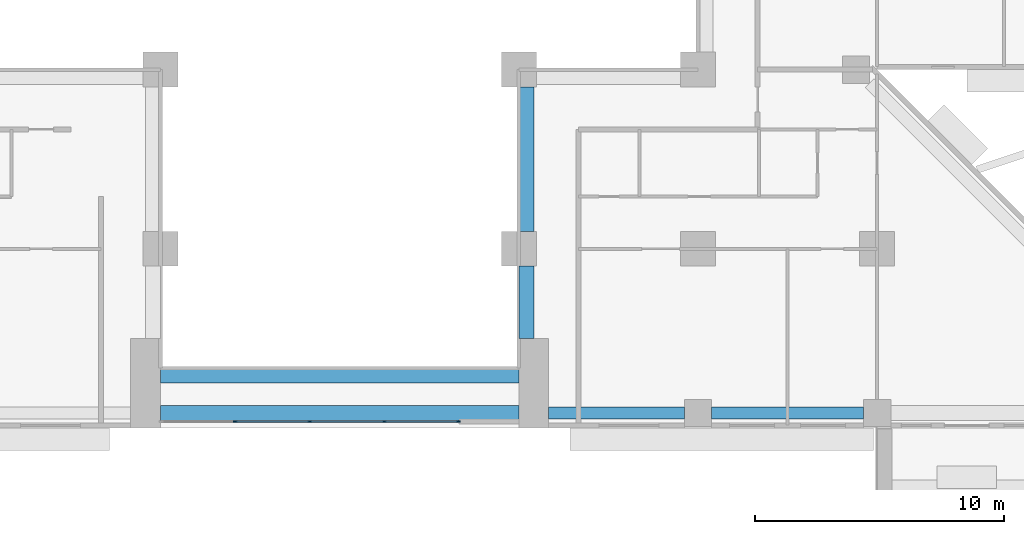
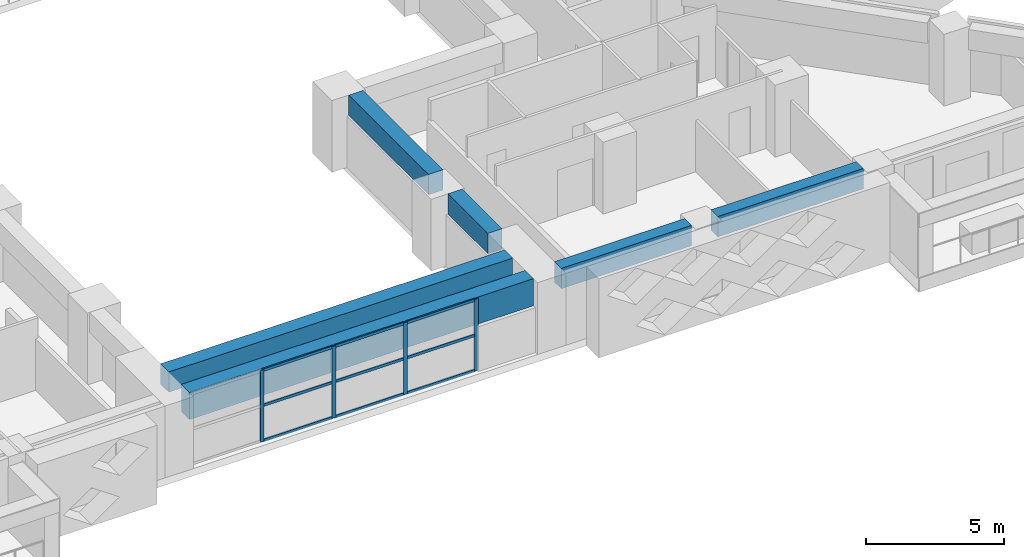
# One storey, part 4 of 17: 13 members, 6 beams, 1 element without a shape of its own.
"""IFC4 building model written with IfcOpenShell, lengths in metres."""

from ifc_helpers import new_model, si_unit, direction, frame, origin, origin_2d, place, context, subcontext, project, spatial, rectangle, extrude, source, transform, mapped, material, layer, layer_set, material_profile, profile_set, type_object, element, aggregate, save


model = new_model("IFC4")

# Units and contexts
model_context = context("Model", 3, precision=1e-05, world=origin(), true_north=direction((0.0, 1.0)))
body_context = subcontext(model_context, "Body", "Model", "MODEL_VIEW")
ifc_project = project(units=[si_unit("LENGTHUNIT", "METRE"), si_unit("AREAUNIT", "SQUARE_METRE"), si_unit("VOLUMEUNIT", "CUBIC_METRE"), si_unit("PLANEANGLEUNIT", "RADIAN"), si_unit("MASSUNIT", "GRAM", prefix="KILO")], contexts=[model_context])

# Site, building, storey
site_placement = place(None, origin())
site = spatial("IfcSite", under=ifc_project, at=site_placement, CompositionType="ELEMENT")
building_placement = place(site_placement, origin())
building = spatial("IfcBuilding", under=site, at=building_placement, Name="Saffron Iwan Residences", CompositionType="ELEMENT")
storey_placement = place(building_placement, frame((0.0, 0.0, 34.0)))
storey = spatial("IfcBuildingStorey", under=building, at=storey_placement, Name="L07", CompositionType="ELEMENT", Elevation=34.0)

# Beams
ifc_material_1 = material(Name="Concrete C60/75", Category="concrete")
ifc_material_profile_1 = material_profile(ifc_material_1, rectangle(XDim=0.5, YDim=0.89990234375, at=origin_2d()), Name="RC 500x900")
ifc_profile_set_1 = profile_set([ifc_material_profile_1], Name="Concrete C60/75")
beam_type_1 = type_object("IfcBeamType", Name="SPANDREL BEAM RC 500x900 C60/75 TOP 3180", PredefinedType="SPANDREL", material=ifc_profile_set_1)
shared_shape_1 = source(origin(), body_context, "Body", "SweptSolid", [
    extrude(rectangle(XDim=0.5, YDim=0.89990234375, at=origin_2d()), origin(), (0.0, 0.0, 1.0), 6.099853515625),
])
beam_1_placement = place(storey_placement, frame((71.449951171875, 34.199951171875, 2.72998046875), z_axis=(-1.0, 0.0, 0.0), x_axis=(0.0, -1.0, 0.0)))
element("IfcBeam", 1, at=beam_1_placement, inside=storey, type_object=beam_type_1, Name="Spandrel beam", PredefinedType="SPANDREL", context=body_context, shape_type="MappedRepresentation", body=[
    mapped(shared_shape_1, transform((0.0, 0.0, 0.0))),
])
shared_shape_2 = source(origin(), body_context, "Body", "SweptSolid", [
    extrude(rectangle(XDim=0.5, YDim=0.89990234375, at=origin_2d()), origin(), (0.0, 0.0, 1.0), 5.449951171875),
])
beam_2_placement = place(storey_placement, frame((64.25, 34.199951171875, 2.72998046875), z_axis=(-1.0, 0.0, 0.0), x_axis=(0.0, -1.0, 0.0)))
element("IfcBeam", 2, at=beam_2_placement, inside=storey, type_object=beam_type_1, Name="Spandrel beam", PredefinedType="SPANDREL", context=body_context, shape_type="MappedRepresentation", body=[
    mapped(shared_shape_2, transform((0.0, 0.0, 0.0))),
])
ifc_material_profile_2 = material_profile(ifc_material_1, rectangle(XDim=0.60009765625, YDim=1.199951171875, at=origin_2d()), Name="RC 600x1200")
ifc_profile_set_2 = profile_set([ifc_material_profile_2], Name="Concrete C60/75")
beam_type_2 = type_object("IfcBeamType", Name="LINTEL BEAM RC 600x1200 C60/75 TOP 3180", PredefinedType="LINTEL", material=ifc_profile_set_2)
shared_shape_3 = source(origin(), body_context, "Body", "SweptSolid", [
    extrude(rectangle(XDim=0.60009765625, YDim=1.199951171875, at=origin_2d()), origin(), (0.0, 0.0, 1.0), 14.400146484375),
])
beam_3_placement = place(storey_placement, frame((57.60009765625, 34.199951171875, 2.580078125), z_axis=(-1.0, 0.0, 0.0), x_axis=(0.0, -1.0, 0.0)))
element("IfcBeam", 3, at=beam_3_placement, inside=storey, type_object=beam_type_2, Name="Lintel beam over the iwan", PredefinedType="LINTEL", context=body_context, shape_type="MappedRepresentation", body=[
    mapped(shared_shape_3, transform((0.0, 0.0, 0.0))),
])
ifc_material_profile_3 = material_profile(ifc_material_1, rectangle(XDim=0.60009765625, YDim=0.89990234375, at=origin_2d()), Name="RC 600x900")
ifc_profile_set_3 = profile_set([ifc_material_profile_3], Name="Concrete C60/75")
beam_type_3 = type_object("IfcBeamType", Name="BEAM RC 600x900 C60/75 TOP 3180", PredefinedType="BEAM", material=ifc_profile_set_3)
shared_shape_4 = source(origin(), body_context, "Body", "SweptSolid", [
    extrude(rectangle(XDim=0.60009765625, YDim=0.89990234375, at=origin_2d()), origin(), (0.0, 0.0, 1.0), 14.400146484375),
])
beam_4_placement = place(storey_placement, frame((57.60009765625, 35.699951171875, 2.72998046875), z_axis=(-1.0, 0.0, 0.0), x_axis=(0.0, -1.0, 0.0)))
element("IfcBeam", 4, at=beam_4_placement, inside=storey, type_object=beam_type_3, Name="Atrium edge beam", PredefinedType="BEAM", context=body_context, shape_type="MappedRepresentation", body=[
    mapped(shared_shape_4, transform((0.0, 0.0, 0.0))),
])
shared_shape_5 = source(origin(), body_context, "Body", "SweptSolid", [
    extrude(rectangle(XDim=0.60009765625, YDim=0.89990234375, at=origin_2d()), origin(), (0.0, 0.0, 1.0), 2.900146484375),
])
beam_5_placement = place(storey_placement, frame((57.89990234375, 40.10009765625, 2.72998046875), z_axis=(0.0, -1.0, 0.0), x_axis=(1.0, 0.0, 0.0)))
element("IfcBeam", 5, at=beam_5_placement, inside=storey, type_object=beam_type_3, Name="Atrium edge beam", PredefinedType="BEAM", context=body_context, shape_type="MappedRepresentation", body=[
    mapped(shared_shape_5, transform((0.0, 0.0, 0.0))),
])
shared_shape_6 = source(origin(), body_context, "Body", "SweptSolid", [
    extrude(rectangle(XDim=0.60009765625, YDim=0.89990234375, at=origin_2d()), origin(), (0.0, 0.0, 1.0), 5.800048828125),
])
beam_6_placement = place(storey_placement, frame((57.89990234375, 47.300048828125, 2.72998046875), z_axis=(0.0, -1.0, 0.0), x_axis=(1.0, 0.0, 0.0)))
element("IfcBeam", 6, at=beam_6_placement, inside=storey, type_object=beam_type_3, Name="Atrium edge beam", PredefinedType="BEAM", context=body_context, shape_type="MappedRepresentation", body=[
    mapped(shared_shape_6, transform((0.0, 0.0, 0.0))),
])

# Curtain wall, members
ifc_material_2 = material(Name="Clear glass, laminated double glazed", Category="glass")
ifc_layer = layer(ifc_material_2, 0.199951171875)
ifc_layer_set = layer_set([ifc_layer], Name="Clear glass, laminated double glazed")
curtain_wall_type = type_object("IfcCurtainWallType", Name="CW-B IWAN PORTAL", PredefinedType="NOTDEFINED", material=ifc_layer_set)
curtain_wall_placement = place(storey_placement, origin())
curtain_wall = element("IfcCurtainWall", 7, at=curtain_wall_placement, inside=storey, type_object=curtain_wall_type, Name="Iwan portal glazing L07.1", PredefinedType="NOTDEFINED")
ifc_material_3 = material(Name="Aluminium 6063-T6", Category="aluminium")
ifc_material_profile_4 = material_profile(ifc_material_3, rectangle(XDim=0.06005859375, YDim=0.159912109375, at=origin_2d()), Name="CW-B MULLION 60 x 160")
ifc_profile_set_4 = profile_set([ifc_material_profile_4], Name="Aluminium 6063-T6")
member_type_1 = type_object("IfcMemberType", Name="CW-B MULLION 60 x 160", PredefinedType="MULLION", material=ifc_profile_set_4)
shared_shape_7 = source(origin(), body_context, "Body", "SweptSolid", [
    extrude(rectangle(XDim=0.06005859375, YDim=0.159912109375, at=origin_2d()), origin(), (0.0, 0.0, 1.0), 3.179931640625),
])
member_1_placement = place(storey_placement, frame((46.199951171875, 33.85009765625, 0.0), z_axis=(0.0, 0.0, 1.0), x_axis=(0.0, 1.0, 0.0)))
member_1 = element("IfcMember", 8, at=member_1_placement, type_object=member_type_1, Name="CW-B mullion 2", PredefinedType="MULLION", context=body_context, shape_type="MappedRepresentation", body=[
    mapped(shared_shape_7, transform((0.0, 0.0, 0.0))),
])
member_2_placement = place(storey_placement, frame((49.199951171875, 33.85009765625, 0.0), z_axis=(0.0, 0.0, 1.0), x_axis=(0.0, 1.0, 0.0)))
member_2 = element("IfcMember", 9, at=member_2_placement, type_object=member_type_1, Name="CW-B mullion 3", PredefinedType="MULLION", context=body_context, shape_type="MappedRepresentation", body=[
    mapped(shared_shape_7, transform((0.0, 0.0, 0.0))),
])
member_3_placement = place(storey_placement, frame((52.199951171875, 33.85009765625, 0.0), z_axis=(0.0, 0.0, 1.0), x_axis=(0.0, 1.0, 0.0)))
member_3 = element("IfcMember", 10, at=member_3_placement, type_object=member_type_1, Name="CW-B mullion 4", PredefinedType="MULLION", context=body_context, shape_type="MappedRepresentation", body=[
    mapped(shared_shape_7, transform((0.0, 0.0, 0.0))),
])
member_4_placement = place(storey_placement, frame((55.169921875, 33.85009765625, 0.0), z_axis=(0.0, 0.0, 1.0), x_axis=(0.0, 1.0, 0.0)))
member_4 = element("IfcMember", 11, at=member_4_placement, type_object=member_type_1, Name="CW-B mullion 5", PredefinedType="MULLION", context=body_context, shape_type="MappedRepresentation", body=[
    mapped(shared_shape_7, transform((0.0, 0.0, 0.0))),
])
ifc_material_profile_5 = material_profile(ifc_material_3, rectangle(XDim=0.06005859375, YDim=0.1201171875, at=origin_2d()), Name="CW-B TRANSOM 60 x 120")
ifc_profile_set_5 = profile_set([ifc_material_profile_5], Name="Aluminium 6063-T6")
member_type_2 = type_object("IfcMemberType", Name="CW-B TRANSOM 60 x 120", PredefinedType="USERDEFINED", material=ifc_profile_set_5)
shared_shape_8 = source(origin(), body_context, "Body", "SweptSolid", [
    extrude(rectangle(XDim=0.06005859375, YDim=0.1201171875, at=origin_2d()), origin(), (0.0, 0.0, 1.0), 2.909912109375),
])
member_5_placement = place(storey_placement, frame((52.22998046875, 33.85009765625, 0.030029296875), z_axis=(1.0, 0.0, 0.0), x_axis=(0.0, 1.0, 0.0)))
member_5 = element("IfcMember", 12, at=member_5_placement, type_object=member_type_2, Name="CW-B transom 4.1", ObjectType="TRANSOM", PredefinedType="USERDEFINED", context=body_context, shape_type="MappedRepresentation", body=[
    mapped(shared_shape_8, transform((0.0, 0.0, 0.0))),
])
member_6_placement = place(storey_placement, frame((52.22998046875, 33.85009765625, 1.590087890625), z_axis=(1.0, 0.0, 0.0), x_axis=(0.0, 1.0, 0.0)))
member_6 = element("IfcMember", 13, at=member_6_placement, type_object=member_type_2, Name="CW-B transom 4.2", ObjectType="TRANSOM", PredefinedType="USERDEFINED", context=body_context, shape_type="MappedRepresentation", body=[
    mapped(shared_shape_8, transform((0.0, 0.0, 0.0))),
])
member_7_placement = place(storey_placement, frame((52.22998046875, 33.85009765625, 3.14990234375), z_axis=(1.0, 0.0, 0.0), x_axis=(0.0, 1.0, 0.0)))
member_7 = element("IfcMember", 14, at=member_7_placement, type_object=member_type_2, Name="CW-B transom 4.3", ObjectType="TRANSOM", PredefinedType="USERDEFINED", context=body_context, shape_type="MappedRepresentation", body=[
    mapped(shared_shape_8, transform((0.0, 0.0, 0.0))),
])
shared_shape_9 = source(origin(), body_context, "Body", "SweptSolid", [
    extrude(rectangle(XDim=0.06005859375, YDim=0.1201171875, at=origin_2d()), origin(), (0.0, 0.0, 1.0), 2.93994140625),
])
member_8_placement = place(storey_placement, frame((46.22998046875, 33.85009765625, 0.030029296875), z_axis=(1.0, 0.0, 0.0), x_axis=(0.0, 1.0, 0.0)))
member_8 = element("IfcMember", 15, at=member_8_placement, type_object=member_type_2, Name="CW-B transom 2.1", ObjectType="TRANSOM", PredefinedType="USERDEFINED", context=body_context, shape_type="MappedRepresentation", body=[
    mapped(shared_shape_9, transform((0.0, 0.0, 0.0))),
])
member_9_placement = place(storey_placement, frame((46.22998046875, 33.85009765625, 1.590087890625), z_axis=(1.0, 0.0, 0.0), x_axis=(0.0, 1.0, 0.0)))
member_9 = element("IfcMember", 16, at=member_9_placement, type_object=member_type_2, Name="CW-B transom 2.2", ObjectType="TRANSOM", PredefinedType="USERDEFINED", context=body_context, shape_type="MappedRepresentation", body=[
    mapped(shared_shape_9, transform((0.0, 0.0, 0.0))),
])
member_10_placement = place(storey_placement, frame((46.22998046875, 33.85009765625, 3.14990234375), z_axis=(1.0, 0.0, 0.0), x_axis=(0.0, 1.0, 0.0)))
member_10 = element("IfcMember", 17, at=member_10_placement, type_object=member_type_2, Name="CW-B transom 2.3", ObjectType="TRANSOM", PredefinedType="USERDEFINED", context=body_context, shape_type="MappedRepresentation", body=[
    mapped(shared_shape_9, transform((0.0, 0.0, 0.0))),
])
member_11_placement = place(storey_placement, frame((49.22998046875, 33.85009765625, 0.030029296875), z_axis=(1.0, 0.0, 0.0), x_axis=(0.0, 1.0, 0.0)))
member_11 = element("IfcMember", 18, at=member_11_placement, type_object=member_type_2, Name="CW-B transom 3.1", ObjectType="TRANSOM", PredefinedType="USERDEFINED", context=body_context, shape_type="MappedRepresentation", body=[
    mapped(shared_shape_9, transform((0.0, 0.0, 0.0))),
])
member_12_placement = place(storey_placement, frame((49.22998046875, 33.85009765625, 1.590087890625), z_axis=(1.0, 0.0, 0.0), x_axis=(0.0, 1.0, 0.0)))
member_12 = element("IfcMember", 19, at=member_12_placement, type_object=member_type_2, Name="CW-B transom 3.2", ObjectType="TRANSOM", PredefinedType="USERDEFINED", context=body_context, shape_type="MappedRepresentation", body=[
    mapped(shared_shape_9, transform((0.0, 0.0, 0.0))),
])
member_13_placement = place(storey_placement, frame((49.22998046875, 33.85009765625, 3.14990234375), z_axis=(1.0, 0.0, 0.0), x_axis=(0.0, 1.0, 0.0)))
member_13 = element("IfcMember", 20, at=member_13_placement, type_object=member_type_2, Name="CW-B transom 3.3", ObjectType="TRANSOM", PredefinedType="USERDEFINED", context=body_context, shape_type="MappedRepresentation", body=[
    mapped(shared_shape_9, transform((0.0, 0.0, 0.0))),
])
aggregate(curtain_wall, [member_1, member_2, member_3, member_4, member_8, member_9, member_10, member_11, member_12, member_13, member_5, member_6, member_7])

save(model, "model.ifc")
